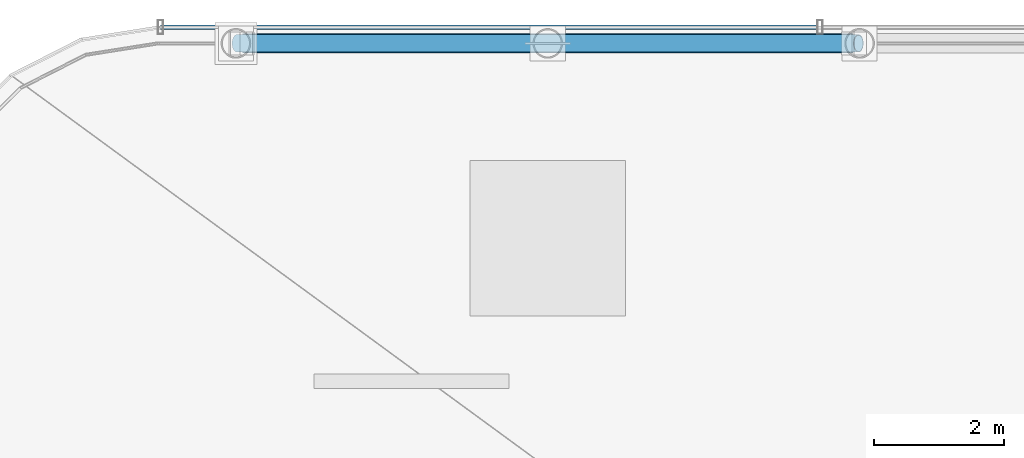
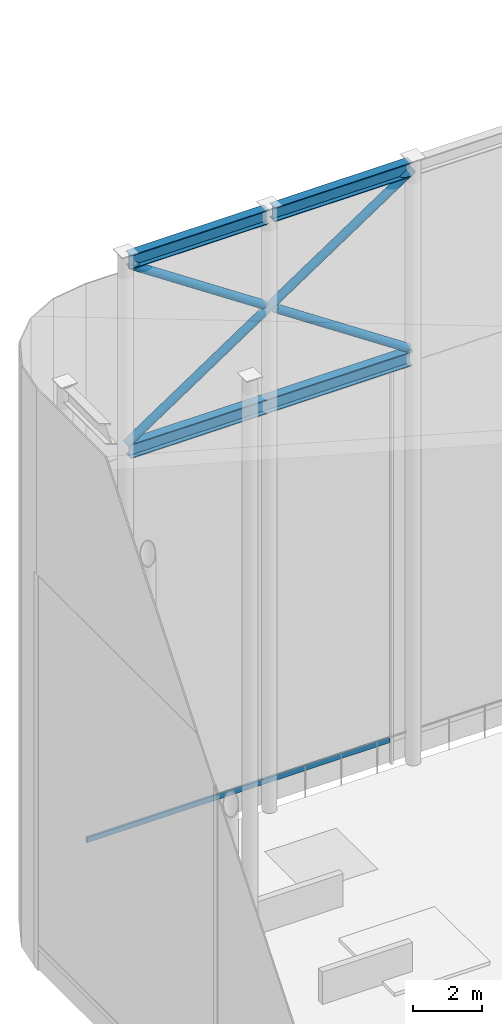
# One storey, part 25 of 42: 4 members, 3 beams, 1 element without a shape of its own.
"""IFC4 building model written with IfcOpenShell, lengths in metres."""

from ifc_helpers import new_model, si_unit, direction, frame, origin, origin_2d, place, context, subcontext, project, spatial, hollow_rectangle, hollow_circle, i_section, extrude, material, layer, layer_set, material_profile, profile_set, type_object, element, aggregate, save


model = new_model("IFC4")

# Units and contexts
model_context = context("Model", 3, precision=1e-05, world=origin(), true_north=direction((0.0, 1.0)))
body_context = subcontext(model_context, "Body", "Model", "MODEL_VIEW")
ifc_project = project(units=[si_unit("LENGTHUNIT", "METRE"), si_unit("AREAUNIT", "SQUARE_METRE"), si_unit("VOLUMEUNIT", "CUBIC_METRE"), si_unit("PLANEANGLEUNIT", "RADIAN"), si_unit("MASSUNIT", "GRAM", prefix="KILO")], contexts=[model_context])

# Site, building, storey
site_placement = place(None, origin())
site = spatial("IfcSite", under=ifc_project, at=site_placement, CompositionType="ELEMENT")
building_placement = place(site_placement, origin())
building = spatial("IfcBuilding", under=site, at=building_placement, Name="Kallvorn Hotel Tower", CompositionType="ELEMENT")
storey_placement = place(building_placement, frame((0.0, 0.0, 306.0)))
storey = spatial("IfcBuildingStorey", under=building, at=storey_placement, Name="ROOF", CompositionType="ELEMENT", Elevation=306.0)

# Beams
ifc_material_1 = material(Name="Structural steel S355JR", Category="steel")
ifc_material_profile_1 = material_profile(ifc_material_1, i_section(OverallWidth=0.300048828125, OverallDepth=0.5, WebThickness=0.014404296875, FlangeThickness=0.028076171875, at=origin_2d()), Name="HE 500 B")
ifc_profile_set_1 = profile_set([ifc_material_profile_1], Name="Structural steel S355JR")
beam_type = type_object("IfcBeamType", Name="BM_HE500B", PredefinedType="SPANDREL", material=ifc_profile_set_1)
beam_1_placement = place(storey_placement, frame((-23.89990234375, 14.39990234375, 21.030029296875), z_axis=(1.0, 0.0, 0.0), x_axis=(0.0, 1.0, 0.0)))
element("IfcBeam", 1, at=beam_1_placement, inside=storey, type_object=beam_type, Name="CROWN FRAME Top Ring Beam 10", PredefinedType="SPANDREL", context=body_context, shape_type="SweptSolid", body=[
    extrude(i_section(OverallWidth=0.300048828125, OverallDepth=0.5, WebThickness=0.014404296875, FlangeThickness=0.028076171875, at=origin_2d()), origin(), (0.0, 0.0, 1.0), 4.599853515625),
])
beam_2_placement = place(storey_placement, frame((-19.10009765625, 14.39990234375, 21.030029296875), z_axis=(1.0, 0.0, 0.0), x_axis=(0.0, 1.0, 0.0)))
element("IfcBeam", 2, at=beam_2_placement, inside=storey, type_object=beam_type, Name="CROWN FRAME Top Ring Beam 11", PredefinedType="SPANDREL", context=body_context, shape_type="SweptSolid", body=[
    extrude(i_section(OverallWidth=0.300048828125, OverallDepth=0.5, WebThickness=0.014404296875, FlangeThickness=0.028076171875, at=origin_2d()), origin(), (0.0, 0.0, 1.0), 4.60009765625),
])
beam_3_placement = place(storey_placement, frame((-23.89990234375, 14.39990234375, 14.35009765625), z_axis=(1.0, 0.0, 0.0), x_axis=(0.0, 1.0, 0.0)))
element("IfcBeam", 3, at=beam_3_placement, inside=storey, type_object=beam_type, Name="CROWN FRAME Louvre Sill Tie Beam CN1", PredefinedType="SPANDREL", context=body_context, shape_type="SweptSolid", body=[
    extrude(i_section(OverallWidth=0.300048828125, OverallDepth=0.5, WebThickness=0.014404296875, FlangeThickness=0.028076171875, at=origin_2d()), origin(), (0.0, 0.0, 1.0), 9.39990234375),
])

# Curtain wall, member
ifc_material_2 = material(Name="Thermally broken black-anodised aluminium AA 6063-T6", Category="aluminium")
ifc_layer = layer(ifc_material_2, 0.18994140625)
ifc_layer_set = layer_set([ifc_layer], Name="CW_SYS_7_CROWN_DRUM")
curtain_wall_type = type_object("IfcCurtainWallType", Name="CW_SYS_7_CROWN_DRUM", PredefinedType="USERDEFINED", material=ifc_layer_set)
curtain_wall_placement = place(storey_placement, origin())
curtain_wall = element("IfcCurtainWall", 4, at=curtain_wall_placement, inside=storey, type_object=curtain_wall_type, Name="ROOF Dark-Glass Curtain Wall CW-ROOF-N1", ObjectType="UNITISED CURTAIN WALL", PredefinedType="USERDEFINED")
ifc_material_3 = material(Name="Thermally broken black-anodised aluminium AA 6063-T6", Category="aluminium")
ifc_material_profile_2 = material_profile(ifc_material_3, hollow_rectangle(XDim=0.070068359375, YDim=0.179931640625, WallThickness=0.00390625, at=origin_2d()), Name="TRN 180x70")
ifc_profile_set_2 = profile_set([ifc_material_profile_2], Name="Thermally broken black-anodised aluminium AA 6063-T6")
member_type_1 = type_object("IfcMemberType", Name="CW_TRANSOM_180x70", PredefinedType="USERDEFINED", material=ifc_profile_set_2)
member_1_placement = place(storey_placement, frame((-25.159912109375, 14.64990234375, 0.85009765625), z_axis=(1.0, 0.0, 0.0), x_axis=(0.0, 1.0, 0.0)))
member_1 = element("IfcMember", 5, at=member_1_placement, type_object=member_type_1, Name="CW-ROOF-N1 Transom 00M", ObjectType="TRANSOM", PredefinedType="USERDEFINED", context=body_context, shape_type="SweptSolid", body=[
    extrude(hollow_rectangle(XDim=0.070068359375, YDim=0.179931640625, WallThickness=0.00390625, at=origin_2d()), origin(), (0.0, 0.0, 1.0), 10.10986328125),
])
aggregate(curtain_wall, [member_1])

# Members
ifc_material_4 = material(Name="Structural steel S355J2H", Category="steel")
ifc_material_profile_3 = material_profile(ifc_material_4, hollow_circle(Radius=0.136474609375, WallThickness=0.010009765625, at=origin_2d()), Name="CHS 273x10")
ifc_profile_set_3 = profile_set([ifc_material_profile_3], Name="Structural steel S355J2H")
member_type_2 = type_object("IfcMemberType", Name="MBR_CROWN_CHS273", PredefinedType="BRACE", material=ifc_profile_set_3)
member_2_placement = place(storey_placement, frame((-23.9833984375, 14.39990234375, 14.56103515625), z_axis=(0.832050294338, 0.0, 0.554700196225), x_axis=(0.0, 1.0, 0.0)))
element("IfcMember", 6, at=member_2_placement, inside=storey, type_object=member_type_2, Name="CROWN FRAME Ring X-Brace Continuous Diagonal CN1", PredefinedType="BRACE", context=body_context, shape_type="SweptSolid", body=[
    extrude(hollow_circle(Radius=0.136474609375, WallThickness=0.010009765625, at=origin_2d()), origin(), (0.0, 0.0, 1.0), 11.498046875),
])
for number, where, z_axis, x_axis, name in (
    (7, (-23.81689453125, 14.39990234375, 20.827880859375), (0.832057342826, 0.0, -0.554689623347), (0.0, 1.0, 0.0), "CROWN FRAME Ring X-Brace Split Half-Diagonal CN1-1"),
    (8, (-19.016845703125, 14.39990234375, 17.6279296875), (0.832057342826, 0.0, -0.554689623347), (0.0, 1.0, 0.0), "CROWN FRAME Ring X-Brace Split Half-Diagonal CN1-2"),
):
    element("IfcMember", number, at=place(storey_placement, frame(where, z_axis=z_axis, x_axis=x_axis)), inside=storey, type_object=member_type_2, Name=name, PredefinedType="BRACE", context=body_context, shape_type="SweptSolid", body=[
        extrude(hollow_circle(Radius=0.136474609375, WallThickness=0.010009765625, at=origin_2d()), origin(), (0.0, 0.0, 1.0), 5.328857421875),
    ])

save(model, "model.ifc")
